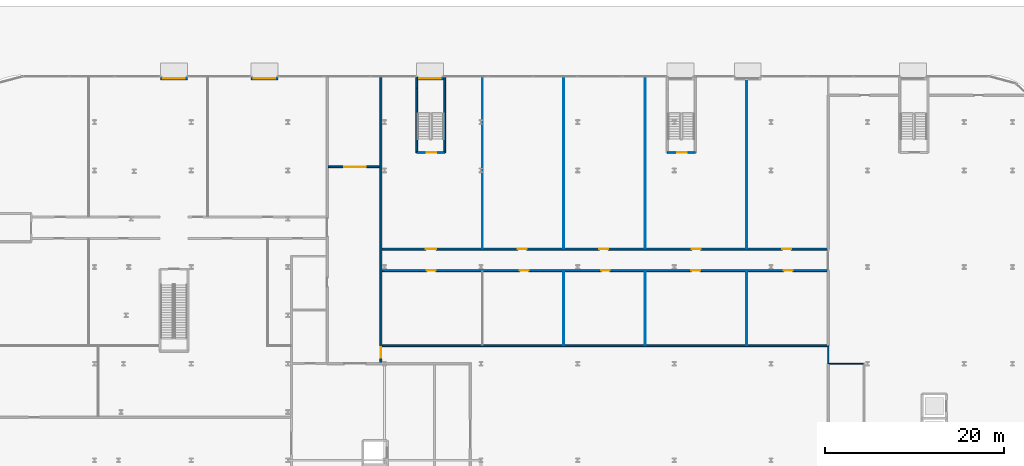
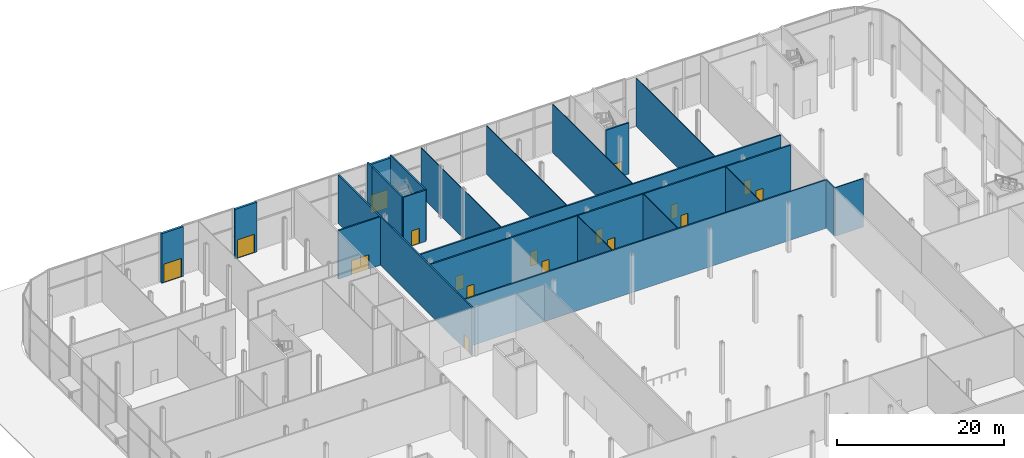
# One storey, part 31 of 46: 22 walls, 17 doors, 17 openings.
"""IFC4 building model written with IfcOpenShell, lengths in metres."""

from ifc_helpers import new_model, si_unit, direction, frame, frame_2d, origin, place, context, subcontext, project, spatial, rectangle, extrude, source, transform, mapped, material, layer, layer_set, type_object, element, fill, save


model = new_model("IFC4")

# Units and contexts
model_context = context("Model", 3, precision=1e-05, world=origin(), true_north=direction((0.0, 1.0)))
body_context = subcontext(model_context, "Body", "Model", "MODEL_VIEW")
ifc_project = project(units=[si_unit("LENGTHUNIT", "METRE"), si_unit("AREAUNIT", "SQUARE_METRE"), si_unit("VOLUMEUNIT", "CUBIC_METRE"), si_unit("PLANEANGLEUNIT", "RADIAN"), si_unit("MASSUNIT", "GRAM", prefix="KILO")], contexts=[model_context])

# Site, building, storey
site_placement = place(None, origin())
site = spatial("IfcSite", under=ifc_project, at=site_placement, CompositionType="ELEMENT")
building_placement = place(site_placement, origin())
building = spatial("IfcBuilding", under=site, at=building_placement, Name="Kheshtan School and Residences Tower", CompositionType="ELEMENT")
storey_placement = place(building_placement, origin())
storey = spatial("IfcBuildingStorey", under=building, at=storey_placement, Name="L00", CompositionType="ELEMENT", Elevation=0.0)

# Walls
ifc_material_1 = material(Name="Gypsum board on steel studs with mineral wool", Category="steel")
ifc_layer_1 = layer(ifc_material_1, 0.125)
ifc_layer_set_1 = layer_set([ifc_layer_1], Name="Acoustic partition 125")
wall_type_1 = type_object("IfcWallType", Name="Acoustic partition 125", PredefinedType="PARTITIONING", material=ifc_layer_set_1)
wall_1_placement = place(storey_placement, frame((108.0, 78.0, 0.0), z_axis=(0.0, 0.0, 1.0), x_axis=(0.0, 1.0, 0.0)))
element("IfcWall", 1, at=wall_1_placement, inside=storey, type_object=wall_type_1, Name="Partition L00-060", PredefinedType="PARTITIONING", context=body_context, shape_type="SweptSolid", body=[
    extrude(rectangle(XDim=2.0, YDim=0.125, at=frame_2d((1.0, 0.0))), origin(), (0.0, 0.0, 1.0), 7.080078125),
])
wall_2_placement = place(storey_placement, frame((108.10009765625, 78.0, 0.0), z_axis=(0.0, 0.0, 1.0), x_axis=(1.0, 0.0, 0.0)))
element("IfcWall", 2, at=wall_2_placement, inside=storey, type_object=wall_type_1, Name="Partition L00-065", PredefinedType="PARTITIONING", context=body_context, shape_type="SweptSolid", body=[
    extrude(rectangle(XDim=3.837890625, YDim=0.125, at=frame_2d((1.9189453125, 0.0))), origin(), (0.0, 0.0, 1.0), 7.080078125),
])

# Wall, opening, door
ifc_material_2 = material(Name="Gypsum board on steel studs with fire boards", Category="steel")
ifc_layer_2 = layer(ifc_material_2, 0.199951171875)
ifc_layer_set_2 = layer_set([ifc_layer_2], Name="Corridor wall 200")
wall_type_2 = type_object("IfcWallType", Name="Corridor wall 200", PredefinedType="PARTITIONING", material=ifc_layer_set_2)
wall_3_placement = place(storey_placement, frame((52.10009765625, 100.0, 0.0), z_axis=(0.0, 0.0, 1.0), x_axis=(1.0, 0.0, 0.0)))
wall_3 = element("IfcWall", 3, at=wall_3_placement, inside=storey, type_object=wall_type_2, Name="Partition L00-032", PredefinedType="PARTITIONING", context=body_context, shape_type="SweptSolid", body=[
    extrude(rectangle(XDim=5.7998046875, YDim=0.199951171875, at=frame_2d((2.89990234375, 0.0))), origin(), (0.0, 0.0, 1.0), 7.080078125),
])
opening_1_placement = place(wall_3_placement, frame((1.800048828125, 0.0, 0.0)))
opening_1 = element("IfcOpeningElement", 4, at=opening_1_placement, cuts=wall_3, Name="Opening D00-009", PredefinedType="OPENING", context=body_context, shape_type="SweptSolid", body=[
    extrude(rectangle(XDim=2.39990234375, YDim=2.10009765625, at=frame_2d((1.199951171875, 1.050048828125))), frame((0.0, 0.10986328125, 0.0), z_axis=(0.0, -1.0, 0.0), x_axis=(1.0, 0.0, 0.0)), (0.0, 0.0, 1.0), 0.219970703125),
])
ifc_material_3 = material(Name="Steel-framed fire-resisting door leaf", Category="steel")
door_type_1 = type_object("IfcDoorType", Name="Fire double door FD60 2400 x 2100", OperationType="DOUBLE_DOOR_SINGLE_SWING", PredefinedType="DOOR", material=ifc_material_3)
shared_shape_1 = source(origin(), body_context, "Body", "SweptSolid", [
    extrude(rectangle(XDim=2.39990234375, YDim=2.10009765625, at=frame_2d((1.199951171875, 1.050048828125))), frame((0.0, 0.02490234375, 0.0), z_axis=(0.0, -1.0, 0.0), x_axis=(1.0, 0.0, 0.0)), (0.0, 0.0, 1.0), 0.050048828125),
])
door_1_placement = place(opening_1_placement, origin())
door_1 = element("IfcDoor", 5, at=door_1_placement, inside=storey, type_object=door_type_1, Name="Door D00-009", OperationType="DOUBLE_DOOR_SINGLE_SWING", OverallHeight=2.10009765625, OverallWidth=2.39990234375, PredefinedType="DOOR", context=body_context, shape_type="MappedRepresentation", body=[
    mapped(shared_shape_1, transform((0.0, 0.0, 0.0), x_axis=(1.0, 0.0, 0.0), y_axis=(0.0, 1.0, 0.0), z_axis=(0.0, 0.0, 1.0), scale=1.0)),
])
fill(opening_1, door_1)

wall_4_placement = place(storey_placement, frame((58.0, 78.10009765625, 0.0), z_axis=(0.0, 0.0, 1.0), x_axis=(0.0, 1.0, 0.0)))
wall_4 = element("IfcWall", 6, at=wall_4_placement, inside=storey, type_object=wall_type_2, Name="Partition L00-033", PredefinedType="PARTITIONING", context=body_context, shape_type="SweptSolid", body=[
    extrude(rectangle(XDim=31.89990234375, YDim=0.199951171875, at=frame_2d((15.949951171875, 0.0))), origin(), (0.0, 0.0, 1.0), 7.080078125),
])
opening_2_placement = place(wall_4_placement, frame((0.550048828125, 0.0, 0.0)))
opening_2 = element("IfcOpeningElement", 7, at=opening_2_placement, cuts=wall_4, Name="Opening D00-003", PredefinedType="OPENING", context=body_context, shape_type="SweptSolid", body=[
    extrude(rectangle(XDim=1.199951171875, YDim=2.10009765625, at=frame_2d((0.60009765625, 1.050048828125))), frame((0.0, 0.10986328125, 0.0), z_axis=(0.0, -1.0, 0.0), x_axis=(1.0, 0.0, 0.0)), (0.0, 0.0, 1.0), 0.219970703125),
])
door_type_2 = type_object("IfcDoorType", Name="Fire door FD60 1200 x 2100", OperationType="SINGLE_SWING_LEFT", PredefinedType="DOOR", material=ifc_material_3)
shared_shape_2 = source(origin(), body_context, "Body", "SweptSolid", [
    extrude(rectangle(XDim=1.199951171875, YDim=2.10009765625, at=frame_2d((0.60009765625, 1.050048828125))), frame((0.0, 0.02490234375, 0.0), z_axis=(0.0, -1.0, 0.0), x_axis=(1.0, 0.0, 0.0)), (0.0, 0.0, 1.0), 0.050048828125),
])
door_2_placement = place(opening_2_placement, origin())
door_2 = element("IfcDoor", 8, at=door_2_placement, inside=storey, type_object=door_type_2, Name="Door D00-003", OperationType="SINGLE_SWING_LEFT", OverallHeight=2.10009765625, OverallWidth=1.199951171875, PredefinedType="DOOR", context=body_context, shape_type="MappedRepresentation", body=[
    mapped(shared_shape_2, transform((0.0, 0.0, 0.0), x_axis=(1.0, 0.0, 0.0), y_axis=(0.0, 1.0, 0.0), z_axis=(0.0, 0.0, 1.0), scale=1.0)),
])
fill(opening_2, door_2)

# Wall
wall_5_placement = place(storey_placement, frame((58.10009765625, 80.0, 0.0), z_axis=(0.0, 0.0, 1.0), x_axis=(1.0, 0.0, 0.0)))
element("IfcWall", 9, at=wall_5_placement, inside=storey, type_object=wall_type_2, Name="Partition L00-034", PredefinedType="PARTITIONING", context=body_context, shape_type="SweptSolid", body=[
    extrude(rectangle(XDim=49.7998046875, YDim=0.199951171875, at=frame_2d((24.89990234375, 0.0))), origin(), (0.0, 0.0, 1.0), 7.080078125),
])

# Wall, openings, doors
wall_6_placement = place(storey_placement, frame((58.10009765625, 88.39990234375, 0.0), z_axis=(0.0, 0.0, 1.0), x_axis=(1.0, 0.0, 0.0)))
wall_6 = element("IfcWall", 10, at=wall_6_placement, inside=storey, type_object=wall_type_2, Name="Partition L00-035", PredefinedType="PARTITIONING", context=body_context, shape_type="SweptSolid", body=[
    extrude(rectangle(XDim=49.7998046875, YDim=0.199951171875, at=frame_2d((24.89990234375, 0.0))), origin(), (0.0, 0.0, 1.0), 7.080078125),
])
opening_3_placement = place(wall_6_placement, frame((5.050048828125, 0.0, 0.0)))
opening_3 = element("IfcOpeningElement", 11, at=opening_3_placement, cuts=wall_6, Name="Opening D00-019", PredefinedType="OPENING", context=body_context, shape_type="SweptSolid", body=[
    extrude(rectangle(XDim=1.0, YDim=2.10009765625, at=frame_2d((0.5, 1.050048828125))), frame((0.0, 0.10986328125, 0.0), z_axis=(0.0, -1.0, 0.0), x_axis=(1.0, 0.0, 0.0)), (0.0, 0.0, 1.0), 0.219970703125),
])
opening_4_placement = place(wall_6_placement, frame((15.4140625, 0.0, 0.0)))
opening_4 = element("IfcOpeningElement", 12, at=opening_4_placement, cuts=wall_6, Name="Opening D00-020", PredefinedType="OPENING", context=body_context, shape_type="SweptSolid", body=[
    extrude(rectangle(XDim=1.0, YDim=2.10009765625, at=frame_2d((0.5, 1.050048828125))), frame((0.0, 0.10986328125, 0.0), z_axis=(0.0, -1.0, 0.0), x_axis=(1.0, 0.0, 0.0)), (0.0, 0.0, 1.0), 0.219970703125),
])
opening_5_placement = place(wall_6_placement, frame((24.5048828125, 0.0, 0.0)))
opening_5 = element("IfcOpeningElement", 13, at=opening_5_placement, cuts=wall_6, Name="Opening D00-021", PredefinedType="OPENING", context=body_context, shape_type="SweptSolid", body=[
    extrude(rectangle(XDim=1.0, YDim=2.10009765625, at=frame_2d((0.5, 1.050048828125))), frame((0.0, 0.10986328125, 0.0), z_axis=(0.0, -1.0, 0.0), x_axis=(1.0, 0.0, 0.0)), (0.0, 0.0, 1.0), 0.219970703125),
])
opening_6_placement = place(wall_6_placement, frame((34.594970703125, 0.0, 0.0)))
opening_6 = element("IfcOpeningElement", 14, at=opening_6_placement, cuts=wall_6, Name="Opening D00-022", PredefinedType="OPENING", context=body_context, shape_type="SweptSolid", body=[
    extrude(rectangle(XDim=1.0, YDim=2.10009765625, at=frame_2d((0.5, 1.050048828125))), frame((0.0, 0.10986328125, 0.0), z_axis=(0.0, -1.0, 0.0), x_axis=(1.0, 0.0, 0.0)), (0.0, 0.0, 1.0), 0.219970703125),
])
opening_7_placement = place(wall_6_placement, frame((44.958984375, 0.0, 0.0)))
opening_7 = element("IfcOpeningElement", 15, at=opening_7_placement, cuts=wall_6, Name="Opening D00-023", PredefinedType="OPENING", context=body_context, shape_type="SweptSolid", body=[
    extrude(rectangle(XDim=1.0, YDim=2.10009765625, at=frame_2d((0.5, 1.050048828125))), frame((0.0, 0.10986328125, 0.0), z_axis=(0.0, -1.0, 0.0), x_axis=(1.0, 0.0, 0.0)), (0.0, 0.0, 1.0), 0.219970703125),
])
door_type_3 = type_object("IfcDoorType", Name="Fire door FD60 1000 x 2100", OperationType="SINGLE_SWING_LEFT", PredefinedType="DOOR", material=ifc_material_3)
shared_shape_3 = source(origin(), body_context, "Body", "SweptSolid", [
    extrude(rectangle(XDim=1.0, YDim=2.10009765625, at=frame_2d((0.5, 1.050048828125))), frame((0.0, 0.02490234375, 0.0), z_axis=(0.0, -1.0, 0.0), x_axis=(1.0, 0.0, 0.0)), (0.0, 0.0, 1.0), 0.050048828125),
])
door_3_placement = place(opening_3_placement, origin())
door_3 = element("IfcDoor", 16, at=door_3_placement, inside=storey, type_object=door_type_3, Name="Door D00-019", OperationType="SINGLE_SWING_LEFT", OverallHeight=2.10009765625, OverallWidth=1.0, PredefinedType="DOOR", context=body_context, shape_type="MappedRepresentation", body=[
    mapped(shared_shape_3, transform((0.0, 0.0, 0.0), x_axis=(1.0, 0.0, 0.0), y_axis=(0.0, 1.0, 0.0), z_axis=(0.0, 0.0, 1.0), scale=1.0)),
])
fill(opening_3, door_3)
door_4_placement = place(opening_4_placement, origin())
door_4 = element("IfcDoor", 17, at=door_4_placement, inside=storey, type_object=door_type_3, Name="Door D00-020", OperationType="SINGLE_SWING_LEFT", OverallHeight=2.10009765625, OverallWidth=1.0, PredefinedType="DOOR", context=body_context, shape_type="MappedRepresentation", body=[
    mapped(shared_shape_3, transform((0.0, 0.0, 0.0), x_axis=(1.0, 0.0, 0.0), y_axis=(0.0, 1.0, 0.0), z_axis=(0.0, 0.0, 1.0), scale=1.0)),
])
fill(opening_4, door_4)
door_5_placement = place(opening_5_placement, origin())
door_5 = element("IfcDoor", 18, at=door_5_placement, inside=storey, type_object=door_type_3, Name="Door D00-021", OperationType="SINGLE_SWING_RIGHT", OverallHeight=2.10009765625, OverallWidth=1.0, PredefinedType="DOOR", context=body_context, shape_type="MappedRepresentation", body=[
    mapped(shared_shape_3, transform((0.0, 0.0, 0.0), x_axis=(1.0, 0.0, 0.0), y_axis=(0.0, 1.0, 0.0), z_axis=(0.0, 0.0, 1.0), scale=1.0)),
])
fill(opening_5, door_5)
door_6_placement = place(opening_6_placement, origin())
door_6 = element("IfcDoor", 19, at=door_6_placement, inside=storey, type_object=door_type_3, Name="Door D00-022", OperationType="SINGLE_SWING_LEFT", OverallHeight=2.10009765625, OverallWidth=1.0, PredefinedType="DOOR", context=body_context, shape_type="MappedRepresentation", body=[
    mapped(shared_shape_3, transform((0.0, 0.0, 0.0), x_axis=(1.0, 0.0, 0.0), y_axis=(0.0, 1.0, 0.0), z_axis=(0.0, 0.0, 1.0), scale=1.0)),
])
fill(opening_6, door_6)
door_7_placement = place(opening_7_placement, origin())
door_7 = element("IfcDoor", 20, at=door_7_placement, inside=storey, type_object=door_type_3, Name="Door D00-023", OperationType="SINGLE_SWING_LEFT", OverallHeight=2.10009765625, OverallWidth=1.0, PredefinedType="DOOR", context=body_context, shape_type="MappedRepresentation", body=[
    mapped(shared_shape_3, transform((0.0, 0.0, 0.0), x_axis=(1.0, 0.0, 0.0), y_axis=(0.0, 1.0, 0.0), z_axis=(0.0, 0.0, 1.0), scale=1.0)),
])
fill(opening_7, door_7)

wall_7_placement = place(storey_placement, frame((58.10009765625, 90.800048828125, 0.0), z_axis=(0.0, 0.0, 1.0), x_axis=(1.0, 0.0, 0.0)))
wall_7 = element("IfcWall", 21, at=wall_7_placement, inside=storey, type_object=wall_type_2, Name="Partition L00-036", PredefinedType="PARTITIONING", context=body_context, shape_type="SweptSolid", body=[
    extrude(rectangle(XDim=49.7998046875, YDim=0.199951171875, at=frame_2d((24.89990234375, 0.0))), origin(), (0.0, 0.0, 1.0), 7.080078125),
])
opening_8_placement = place(wall_7_placement, frame((4.9140625, 0.0, 0.0)))
opening_8 = element("IfcOpeningElement", 22, at=opening_8_placement, cuts=wall_7, Name="Opening D00-024", PredefinedType="OPENING", context=body_context, shape_type="SweptSolid", body=[
    extrude(rectangle(XDim=1.199951171875, YDim=2.10009765625, at=frame_2d((0.60009765625, 1.050048828125))), frame((0.0, 0.10986328125, 0.0), z_axis=(0.0, -1.0, 0.0), x_axis=(1.0, 0.0, 0.0)), (0.0, 0.0, 1.0), 0.219970703125),
])
opening_9_placement = place(wall_7_placement, frame((15.205078125, 0.0, 0.0)))
opening_9 = element("IfcOpeningElement", 23, at=opening_9_placement, cuts=wall_7, Name="Opening D00-025", PredefinedType="OPENING", context=body_context, shape_type="SweptSolid", body=[
    extrude(rectangle(XDim=1.0, YDim=2.10009765625, at=frame_2d((0.5, 1.050048828125))), frame((0.0, 0.10986328125, 0.0), z_axis=(0.0, -1.0, 0.0), x_axis=(1.0, 0.0, 0.0)), (0.0, 0.0, 1.0), 0.219970703125),
])
opening_10_placement = place(wall_7_placement, frame((24.294921875, 0.0, 0.0)))
opening_10 = element("IfcOpeningElement", 24, at=opening_10_placement, cuts=wall_7, Name="Opening D00-026", PredefinedType="OPENING", context=body_context, shape_type="SweptSolid", body=[
    extrude(rectangle(XDim=1.0, YDim=2.10009765625, at=frame_2d((0.5, 1.050048828125))), frame((0.0, 0.10986328125, 0.0), z_axis=(0.0, -1.0, 0.0), x_axis=(1.0, 0.0, 0.0)), (0.0, 0.0, 1.0), 0.219970703125),
])
opening_11_placement = place(wall_7_placement, frame((34.658935546875, 0.0, 0.0)))
opening_11 = element("IfcOpeningElement", 25, at=opening_11_placement, cuts=wall_7, Name="Opening D00-027", PredefinedType="OPENING", context=body_context, shape_type="SweptSolid", body=[
    extrude(rectangle(XDim=1.0, YDim=2.10009765625, at=frame_2d((0.5, 1.050048828125))), frame((0.0, 0.10986328125, 0.0), z_axis=(0.0, -1.0, 0.0), x_axis=(1.0, 0.0, 0.0)), (0.0, 0.0, 1.0), 0.219970703125),
])
opening_12_placement = place(wall_7_placement, frame((44.75, 0.0, 0.0)))
opening_12 = element("IfcOpeningElement", 26, at=opening_12_placement, cuts=wall_7, Name="Opening D00-028", PredefinedType="OPENING", context=body_context, shape_type="SweptSolid", body=[
    extrude(rectangle(XDim=1.0, YDim=2.10009765625, at=frame_2d((0.5, 1.050048828125))), frame((0.0, 0.10986328125, 0.0), z_axis=(0.0, -1.0, 0.0), x_axis=(1.0, 0.0, 0.0)), (0.0, 0.0, 1.0), 0.219970703125),
])
door_8_placement = place(opening_9_placement, origin())
door_8 = element("IfcDoor", 27, at=door_8_placement, inside=storey, type_object=door_type_3, Name="Door D00-025", OperationType="SINGLE_SWING_RIGHT", OverallHeight=2.10009765625, OverallWidth=1.0, PredefinedType="DOOR", context=body_context, shape_type="MappedRepresentation", body=[
    mapped(shared_shape_3, transform((0.0, 0.0, 0.0), x_axis=(1.0, 0.0, 0.0), y_axis=(0.0, 1.0, 0.0), z_axis=(0.0, 0.0, 1.0), scale=1.0)),
])
fill(opening_9, door_8)
door_9_placement = place(opening_10_placement, origin())
door_9 = element("IfcDoor", 28, at=door_9_placement, inside=storey, type_object=door_type_3, Name="Door D00-026", OperationType="SINGLE_SWING_LEFT", OverallHeight=2.10009765625, OverallWidth=1.0, PredefinedType="DOOR", context=body_context, shape_type="MappedRepresentation", body=[
    mapped(shared_shape_3, transform((0.0, 0.0, 0.0), x_axis=(1.0, 0.0, 0.0), y_axis=(0.0, 1.0, 0.0), z_axis=(0.0, 0.0, 1.0), scale=1.0)),
])
fill(opening_10, door_9)
door_10_placement = place(opening_11_placement, origin())
door_10 = element("IfcDoor", 29, at=door_10_placement, inside=storey, type_object=door_type_3, Name="Door D00-027", OperationType="SINGLE_SWING_LEFT", OverallHeight=2.10009765625, OverallWidth=1.0, PredefinedType="DOOR", context=body_context, shape_type="MappedRepresentation", body=[
    mapped(shared_shape_3, transform((0.0, 0.0, 0.0), x_axis=(1.0, 0.0, 0.0), y_axis=(0.0, 1.0, 0.0), z_axis=(0.0, 0.0, 1.0), scale=1.0)),
])
fill(opening_11, door_10)
door_11_placement = place(opening_12_placement, origin())
door_11 = element("IfcDoor", 30, at=door_11_placement, inside=storey, type_object=door_type_3, Name="Door D00-028", OperationType="SINGLE_SWING_RIGHT", OverallHeight=2.10009765625, OverallWidth=1.0, PredefinedType="DOOR", context=body_context, shape_type="MappedRepresentation", body=[
    mapped(shared_shape_3, transform((0.0, 0.0, 0.0), x_axis=(1.0, 0.0, 0.0), y_axis=(0.0, 1.0, 0.0), z_axis=(0.0, 0.0, 1.0), scale=1.0)),
])
fill(opening_12, door_11)
door_12_placement = place(opening_8_placement, origin())
door_12 = element("IfcDoor", 31, at=door_12_placement, inside=storey, type_object=door_type_2, Name="Door D00-024", OperationType="SINGLE_SWING_LEFT", OverallHeight=2.10009765625, OverallWidth=1.199951171875, PredefinedType="DOOR", context=body_context, shape_type="MappedRepresentation", body=[
    mapped(shared_shape_2, transform((0.0, 0.0, 0.0), x_axis=(1.0, 0.0, 0.0), y_axis=(0.0, 1.0, 0.0), z_axis=(0.0, 0.0, 1.0), scale=1.0)),
])
fill(opening_8, door_12)

# Walls
ifc_material_4 = material(Name="Gypsum board on steel studs", Category="steel")
ifc_layer_3 = layer(ifc_material_4, 0.10009765625)
ifc_layer_set_3 = layer_set([ifc_layer_3], Name="Gypsum partition 100")
wall_type_3 = type_object("IfcWallType", Name="Gypsum partition 100", PredefinedType="PARTITIONING", material=ifc_layer_set_3)
wall_8_placement = place(storey_placement, frame((69.364013671875, 90.89990234375, 0.0), z_axis=(0.0, 0.0, 1.0), x_axis=(0.0, 1.0, 0.0)))
element("IfcWall", 32, at=wall_8_placement, inside=storey, type_object=wall_type_3, Name="Partition L00-042", PredefinedType="PARTITIONING", context=body_context, shape_type="SweptSolid", body=[
    extrude(rectangle(XDim=19.10009765625, YDim=0.10009765625, at=frame_2d((9.550048828125, 0.0))), origin(), (0.0, 0.0, 1.0), 7.080078125),
])
wall_9_placement = place(storey_placement, frame((78.455078125, 80.10009765625, 0.0), z_axis=(0.0, 0.0, 1.0), x_axis=(0.0, 1.0, 0.0)))
element("IfcWall", 33, at=wall_9_placement, inside=storey, type_object=wall_type_3, Name="Partition L00-043", PredefinedType="PARTITIONING", context=body_context, shape_type="SweptSolid", body=[
    extrude(rectangle(XDim=8.199951171875, YDim=0.10009765625, at=frame_2d((4.10009765625, 0.0))), origin(), (0.0, 0.0, 1.0), 7.080078125),
])
wall_10_placement = place(storey_placement, frame((78.455078125, 90.89990234375, 0.0), z_axis=(0.0, 0.0, 1.0), x_axis=(0.0, 1.0, 0.0)))
element("IfcWall", 34, at=wall_10_placement, inside=storey, type_object=wall_type_3, Name="Partition L00-044", PredefinedType="PARTITIONING", context=body_context, shape_type="SweptSolid", body=[
    extrude(rectangle(XDim=19.10009765625, YDim=0.10009765625, at=frame_2d((9.550048828125, 0.0))), origin(), (0.0, 0.0, 1.0), 7.080078125),
])
wall_11_placement = place(storey_placement, frame((87.544921875, 80.10009765625, 0.0), z_axis=(0.0, 0.0, 1.0), x_axis=(0.0, 1.0, 0.0)))
element("IfcWall", 35, at=wall_11_placement, inside=storey, type_object=wall_type_3, Name="Partition L00-047", PredefinedType="PARTITIONING", context=body_context, shape_type="SweptSolid", body=[
    extrude(rectangle(XDim=8.199951171875, YDim=0.10009765625, at=frame_2d((4.10009765625, 0.0))), origin(), (0.0, 0.0, 1.0), 7.080078125),
])
wall_12_placement = place(storey_placement, frame((87.544921875, 90.89990234375, 0.0), z_axis=(0.0, 0.0, 1.0), x_axis=(0.0, 1.0, 0.0)))
element("IfcWall", 36, at=wall_12_placement, inside=storey, type_object=wall_type_3, Name="Partition L00-048", PredefinedType="PARTITIONING", context=body_context, shape_type="SweptSolid", body=[
    extrude(rectangle(XDim=19.10009765625, YDim=0.10009765625, at=frame_2d((9.550048828125, 0.0))), origin(), (0.0, 0.0, 1.0), 7.080078125),
])
wall_13_placement = place(storey_placement, frame((98.908935546875, 80.10009765625, 0.0), z_axis=(0.0, 0.0, 1.0), x_axis=(0.0, 1.0, 0.0)))
element("IfcWall", 37, at=wall_13_placement, inside=storey, type_object=wall_type_3, Name="Partition L00-055", PredefinedType="PARTITIONING", context=body_context, shape_type="SweptSolid", body=[
    extrude(rectangle(XDim=8.199951171875, YDim=0.10009765625, at=frame_2d((4.10009765625, 0.0))), origin(), (0.0, 0.0, 1.0), 7.080078125),
])
wall_14_placement = place(storey_placement, frame((98.908935546875, 90.89990234375, 0.0), z_axis=(0.0, 0.0, 1.0), x_axis=(0.0, 1.0, 0.0)))
element("IfcWall", 38, at=wall_14_placement, inside=storey, type_object=wall_type_3, Name="Partition L00-056", PredefinedType="PARTITIONING", context=body_context, shape_type="SweptSolid", body=[
    extrude(rectangle(XDim=18.801025390625, YDim=0.10009765625, at=frame_2d((9.400390625, 0.0))), origin(), (0.0, 0.0, 1.0), 7.080078125),
])

# Wall, opening, door
ifc_material_5 = material(Name="Concrete C40/50 with ceramic cladding and mineral wool insulation", Category="concrete")
ifc_layer_4 = layer(ifc_material_5, 0.300048828125)
ifc_layer_set_4 = layer_set([ifc_layer_4], Name="Podium external wall 300")
wall_type_4 = type_object("IfcWallType", Name="Podium external wall 300", PredefinedType="SOLIDWALL", material=ifc_layer_set_4)
wall_15_placement = place(storey_placement, frame((33.375, 109.85009765625, 0.0), z_axis=(0.0, 0.0, 1.0), x_axis=(1.0, 0.0, 0.0)))
wall_15 = element("IfcWall", 39, at=wall_15_placement, inside=storey, type_object=wall_type_4, Name="Podium external wall L00 4.1", PredefinedType="SOLIDWALL", context=body_context, shape_type="SweptSolid", body=[
    extrude(rectangle(XDim=3.0, YDim=0.300048828125, at=frame_2d((1.5, 0.0))), origin(), (0.0, 0.0, 1.0), 7.25),
])
opening_13_placement = place(wall_15_placement, frame((0.300048828125, 0.0, 0.0)))
opening_13 = element("IfcOpeningElement", 40, at=opening_13_placement, cuts=wall_15, Name="Opening ED", PredefinedType="OPENING", context=body_context, shape_type="SweptSolid", body=[
    extrude(rectangle(XDim=2.39990234375, YDim=2.699951171875, at=frame_2d((1.199951171875, 1.35009765625))), frame((0.0, 0.16015625, 0.0), z_axis=(0.0, -1.0, 0.0), x_axis=(1.0, 0.0, 0.0)), (0.0, 0.0, 1.0), 0.320068359375),
])
ifc_material_6 = material(Name="Clear low-e glass in thermally broken aluminium frame", Category="aluminium")
door_type_4 = type_object("IfcDoorType", Name="Entrance double door", OperationType="DOUBLE_DOOR_SINGLE_SWING", PredefinedType="DOOR", material=ifc_material_6)
shared_shape_4 = source(origin(), body_context, "Body", "SweptSolid", [
    extrude(rectangle(XDim=2.39990234375, YDim=2.699951171875, at=frame_2d((1.199951171875, 1.35009765625))), frame((0.0, 0.02490234375, 0.0), z_axis=(0.0, -1.0, 0.0), x_axis=(1.0, 0.0, 0.0)), (0.0, 0.0, 1.0), 0.050048828125),
])
door_13_placement = place(opening_13_placement, origin())
door_13 = element("IfcDoor", 41, at=door_13_placement, inside=storey, type_object=door_type_4, Name="Entrance door 4.1", OperationType="DOUBLE_DOOR_SINGLE_SWING", OverallHeight=2.699951171875, OverallWidth=2.39990234375, PredefinedType="DOOR", context=body_context, shape_type="MappedRepresentation", body=[
    mapped(shared_shape_4, transform((0.0, 0.0, 0.0), x_axis=(1.0, 0.0, 0.0), y_axis=(0.0, 1.0, 0.0), z_axis=(0.0, 0.0, 1.0), scale=1.0)),
])
fill(opening_13, door_13)

wall_16_placement = place(storey_placement, frame((43.5, 109.85009765625, 0.0), z_axis=(0.0, 0.0, 1.0), x_axis=(1.0, 0.0, 0.0)))
wall_16 = element("IfcWall", 42, at=wall_16_placement, inside=storey, type_object=wall_type_4, Name="Podium external wall L00 4.3", PredefinedType="SOLIDWALL", context=body_context, shape_type="SweptSolid", body=[
    extrude(rectangle(XDim=3.0, YDim=0.300048828125, at=frame_2d((1.5, 0.0))), origin(), (0.0, 0.0, 1.0), 7.25),
])
opening_14_placement = place(wall_16_placement, frame((0.300048828125, 0.0, 0.0)))
opening_14 = element("IfcOpeningElement", 43, at=opening_14_placement, cuts=wall_16, Name="Opening ED", PredefinedType="OPENING", context=body_context, shape_type="SweptSolid", body=[
    extrude(rectangle(XDim=2.39990234375, YDim=2.699951171875, at=frame_2d((1.199951171875, 1.35009765625))), frame((0.0, 0.16015625, 0.0), z_axis=(0.0, -1.0, 0.0), x_axis=(1.0, 0.0, 0.0)), (0.0, 0.0, 1.0), 0.320068359375),
])
door_14_placement = place(opening_14_placement, origin())
door_14 = element("IfcDoor", 44, at=door_14_placement, inside=storey, type_object=door_type_4, Name="Entrance door 4.3", OperationType="DOUBLE_DOOR_SINGLE_SWING", OverallHeight=2.699951171875, OverallWidth=2.39990234375, PredefinedType="DOOR", context=body_context, shape_type="MappedRepresentation", body=[
    mapped(shared_shape_4, transform((0.0, 0.0, 0.0), x_axis=(1.0, 0.0, 0.0), y_axis=(0.0, 1.0, 0.0), z_axis=(0.0, 0.0, 1.0), scale=1.0)),
])
fill(opening_14, door_14)

wall_17_placement = place(storey_placement, frame((61.989990234375, 109.85009765625, 0.0), z_axis=(0.0, 0.0, 1.0), x_axis=(1.0, 0.0, 0.0)))
wall_17 = element("IfcWall", 45, at=wall_17_placement, inside=storey, type_object=wall_type_4, Name="Podium external wall L00 4.5", PredefinedType="SOLIDWALL", context=body_context, shape_type="SweptSolid", body=[
    extrude(rectangle(XDim=3.0, YDim=0.300048828125, at=frame_2d((1.5, 0.0))), origin(), (0.0, 0.0, 1.0), 7.25),
])
opening_15_placement = place(wall_17_placement, frame((0.300048828125, 0.0, 0.0)))
opening_15 = element("IfcOpeningElement", 46, at=opening_15_placement, cuts=wall_17, Name="Opening ED", PredefinedType="OPENING", context=body_context, shape_type="SweptSolid", body=[
    extrude(rectangle(XDim=2.39990234375, YDim=2.699951171875, at=frame_2d((1.199951171875, 1.35009765625))), frame((0.0, 0.16015625, 0.0), z_axis=(0.0, -1.0, 0.0), x_axis=(1.0, 0.0, 0.0)), (0.0, 0.0, 1.0), 0.320068359375),
])
door_15_placement = place(opening_15_placement, origin())
door_15 = element("IfcDoor", 47, at=door_15_placement, inside=storey, type_object=door_type_4, Name="Entrance door 4.5", OperationType="DOUBLE_DOOR_SINGLE_SWING", OverallHeight=2.699951171875, OverallWidth=2.39990234375, PredefinedType="DOOR", context=body_context, shape_type="MappedRepresentation", body=[
    mapped(shared_shape_4, transform((0.0, 0.0, 0.0), x_axis=(1.0, 0.0, 0.0), y_axis=(0.0, 1.0, 0.0), z_axis=(0.0, 0.0, 1.0), scale=1.0)),
])
fill(opening_15, door_15)

ifc_material_7 = material(Name="Concrete C40/50", Category="concrete")
ifc_layer_5 = layer(ifc_material_7, 0.199951171875)
ifc_layer_set_5 = layer_set([ifc_layer_5], Name="Stair enclosure wall 200 Concrete C40/50")
wall_type_5 = type_object("IfcWallType", Name="Stair enclosure wall 200 Concrete C40/50", PredefinedType="SHEAR", material=ifc_layer_set_5)
wall_18_placement = place(storey_placement, frame((62.0, 101.60009765625, 0.0), z_axis=(0.0, 0.0, 1.0), x_axis=(1.0, 0.0, 0.0)))
wall_18 = element("IfcWall", 48, at=wall_18_placement, inside=storey, type_object=wall_type_5, Name="Stair enclosure wall", PredefinedType="SHEAR", context=body_context, shape_type="SweptSolid", body=[
    extrude(rectangle(XDim=3.14990234375, YDim=0.199951171875, at=frame_2d((1.574951171875, 0.0))), origin(), (0.0, 0.0, 1.0), 7.5),
])
opening_16_placement = place(wall_18_placement, frame((1.10009765625, 0.0, 0.0)))
opening_16 = element("IfcOpeningElement", 49, at=opening_16_placement, cuts=wall_18, Name="Opening SD90", PredefinedType="OPENING", context=body_context, shape_type="SweptSolid", body=[
    extrude(rectangle(XDim=1.10009765625, YDim=2.199951171875, at=frame_2d((0.550048828125, 1.10009765625))), frame((0.0, 0.10986328125, 0.0), z_axis=(0.0, -1.0, 0.0), x_axis=(1.0, 0.0, 0.0)), (0.0, 0.0, 1.0), 0.219970703125),
])
ifc_material_8 = material(Name="Steel door leaf, galvanised", Category="steel")
door_type_5 = type_object("IfcDoorType", Name="Stair door 1100 steel 90 min", OperationType="SINGLE_SWING_LEFT", PredefinedType="DOOR", material=ifc_material_8)
shared_shape_5 = source(origin(), body_context, "Body", "SweptSolid", [
    extrude(rectangle(XDim=1.10009765625, YDim=2.199951171875, at=frame_2d((0.550048828125, 1.10009765625))), frame((0.0, 0.02490234375, 0.0), z_axis=(0.0, -1.0, 0.0), x_axis=(1.0, 0.0, 0.0)), (0.0, 0.0, 1.0), 0.050048828125),
])
door_16_placement = place(opening_16_placement, origin())
door_16 = element("IfcDoor", 50, at=door_16_placement, inside=storey, type_object=door_type_5, Name="Stair door", OperationType="SINGLE_SWING_RIGHT", OverallHeight=2.199951171875, OverallWidth=1.10009765625, PredefinedType="DOOR", context=body_context, shape_type="MappedRepresentation", body=[
    mapped(shared_shape_5, transform((0.0, 0.0, 0.0), x_axis=(1.0, 0.0, 0.0), y_axis=(0.0, 1.0, 0.0), z_axis=(0.0, 0.0, 1.0), scale=1.0)),
])
fill(opening_16, door_16)

# Walls
wall_19_placement = place(storey_placement, frame((62.0, 101.60009765625, 0.0), z_axis=(0.0, 0.0, 1.0), x_axis=(0.0, 1.0, 0.0)))
element("IfcWall", 51, at=wall_19_placement, inside=storey, type_object=wall_type_5, Name="Stair enclosure wall", PredefinedType="SHEAR", context=body_context, shape_type="SweptSolid", body=[
    extrude(rectangle(XDim=7.199951171875, YDim=0.199951171875, at=frame_2d((3.60009765625, 0.0))), origin(), (0.0, 0.0, 1.0), 7.5),
])
wall_20_placement = place(storey_placement, frame((62.0, 108.800048828125, 0.0), z_axis=(0.0, 0.0, 1.0), x_axis=(0.0, 1.0, 0.0)))
element("IfcWall", 52, at=wall_20_placement, inside=storey, type_object=wall_type_5, Name="Stair enclosure wall", PredefinedType="SHEAR", context=body_context, shape_type="SweptSolid", body=[
    extrude(rectangle(XDim=1.199951171875, YDim=0.199951171875, at=frame_2d((0.60009765625, 0.0))), origin(), (0.0, 0.0, 1.0), 7.5),
])
wall_21_placement = place(storey_placement, frame((65.14990234375, 101.60009765625, 0.0), z_axis=(0.0, 0.0, 1.0), x_axis=(0.0, 1.0, 0.0)))
element("IfcWall", 53, at=wall_21_placement, inside=storey, type_object=wall_type_5, Name="Stair enclosure wall", PredefinedType="SHEAR", context=body_context, shape_type="SweptSolid", body=[
    extrude(rectangle(XDim=8.39990234375, YDim=0.199951171875, at=frame_2d((4.199951171875, 0.0))), origin(), (0.0, 0.0, 1.0), 7.5),
])

# Wall, opening, door
wall_22_placement = place(storey_placement, frame((90.0, 101.60009765625, 0.0), z_axis=(0.0, 0.0, 1.0), x_axis=(1.0, 0.0, 0.0)))
wall_22 = element("IfcWall", 54, at=wall_22_placement, inside=storey, type_object=wall_type_5, Name="Stair enclosure wall", PredefinedType="SHEAR", context=body_context, shape_type="SweptSolid", body=[
    extrude(rectangle(XDim=3.14990234375, YDim=0.199951171875, at=frame_2d((1.574951171875, 0.0))), origin(), (0.0, 0.0, 1.0), 7.5),
])
opening_17_placement = place(wall_22_placement, frame((1.10009765625, 0.0, 0.0)))
opening_17 = element("IfcOpeningElement", 55, at=opening_17_placement, cuts=wall_22, Name="Opening SD90", PredefinedType="OPENING", context=body_context, shape_type="SweptSolid", body=[
    extrude(rectangle(XDim=1.10009765625, YDim=2.199951171875, at=frame_2d((0.550048828125, 1.10009765625))), frame((0.0, 0.10986328125, 0.0), z_axis=(0.0, -1.0, 0.0), x_axis=(1.0, 0.0, 0.0)), (0.0, 0.0, 1.0), 0.219970703125),
])
door_17_placement = place(opening_17_placement, origin())
door_17 = element("IfcDoor", 56, at=door_17_placement, inside=storey, type_object=door_type_5, Name="Stair door", OperationType="SINGLE_SWING_RIGHT", OverallHeight=2.199951171875, OverallWidth=1.10009765625, PredefinedType="DOOR", context=body_context, shape_type="MappedRepresentation", body=[
    mapped(shared_shape_5, transform((0.0, 0.0, 0.0), x_axis=(1.0, 0.0, 0.0), y_axis=(0.0, 1.0, 0.0), z_axis=(0.0, 0.0, 1.0), scale=1.0)),
])
fill(opening_17, door_17)

save(model, "model.ifc")
